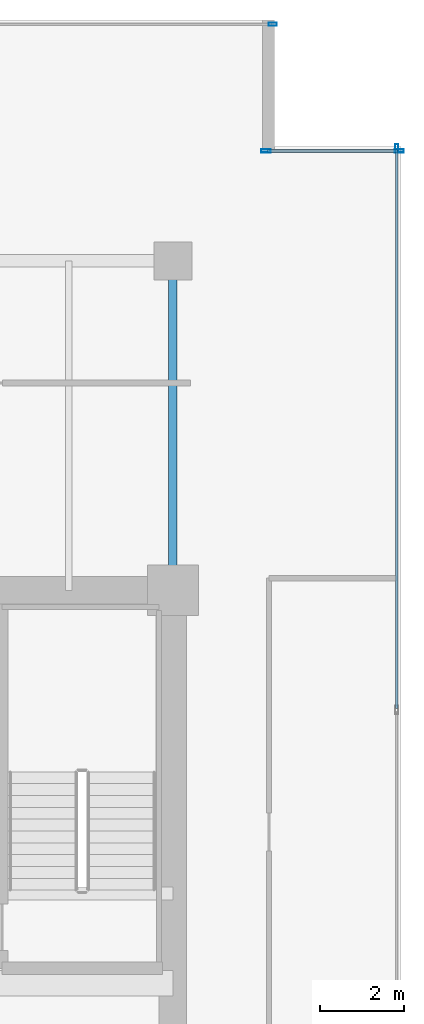
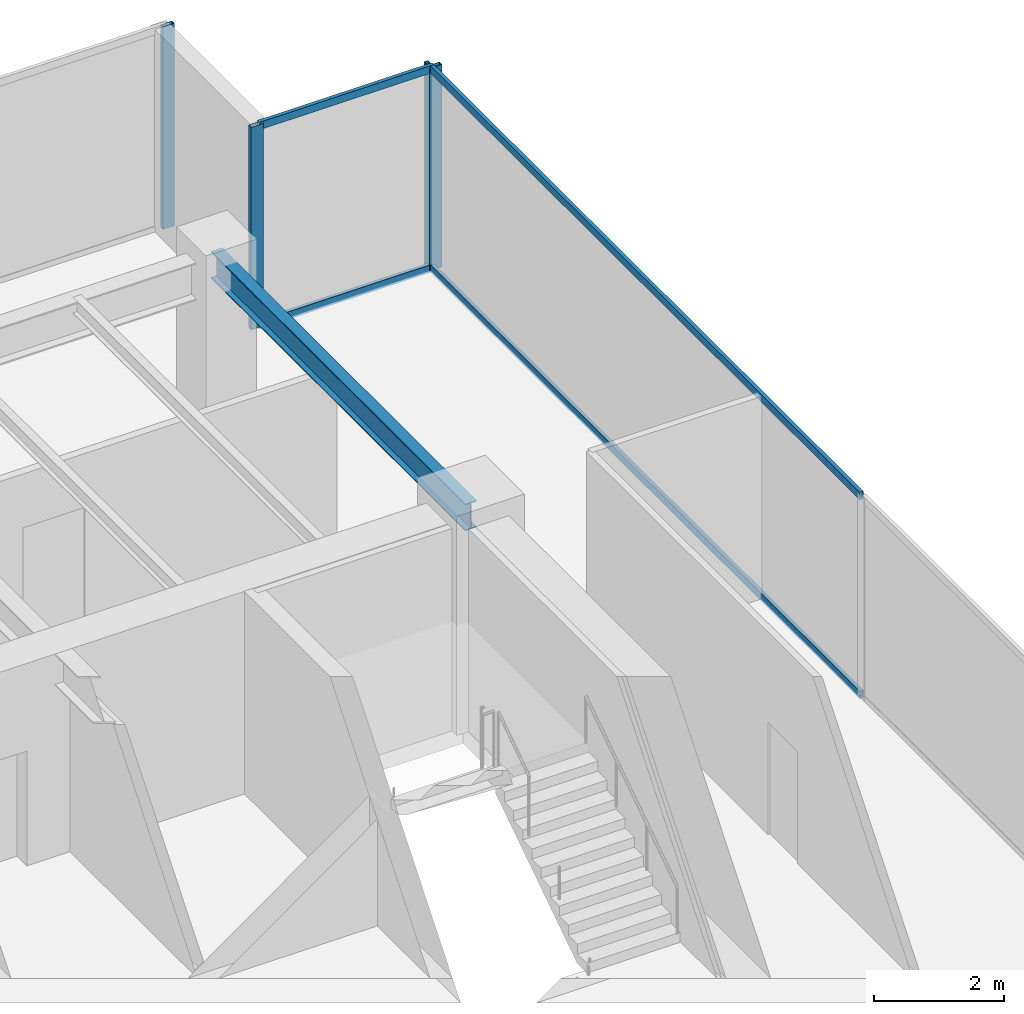
# One storey, part 23 of 31: 8 members, 1 beam, 3 elements without a shape of their own.
"""IFC4 building model written with IfcOpenShell, lengths in metres."""

from ifc_helpers import new_model, si_unit, direction, frame, origin, origin_2d, place, context, subcontext, project, spatial, hollow_rectangle, i_section, extrude, source, transform, mapped, material, layer, layer_set, material_profile, profile_set, type_object, type_shapes, element, aggregate, save


model = new_model("IFC4")

# Units and contexts
model_context = context("Model", 3, precision=1e-05, world=origin(), true_north=direction((0.0, 1.0)))
body_context = subcontext(model_context, "Body", "Model", "MODEL_VIEW")
ifc_project = project(units=[si_unit("LENGTHUNIT", "METRE"), si_unit("AREAUNIT", "SQUARE_METRE"), si_unit("VOLUMEUNIT", "CUBIC_METRE"), si_unit("PLANEANGLEUNIT", "RADIAN"), si_unit("MASSUNIT", "GRAM", prefix="KILO")], contexts=[model_context])

# Site, building, storey
site_placement = place(None, origin())
site = spatial("IfcSite", under=ifc_project, at=site_placement, CompositionType="ELEMENT")
building_placement = place(site_placement, origin())
building = spatial("IfcBuilding", under=site, at=building_placement, Name="Haelvirn Gate Laboratories", CompositionType="ELEMENT")
storey_placement = place(building_placement, frame((0.0, 0.0, 174.800048828125)))
storey = spatial("IfcBuildingStorey", under=building, at=storey_placement, Name="L42", CompositionType="ELEMENT", Elevation=174.800048828125)

# Beam
ifc_material_1 = material(Name="Steel SM355", Category="steel")
ifc_material_profile_1 = material_profile(ifc_material_1, i_section(OverallWidth=0.199951171875, OverallDepth=0.5, WebThickness=0.010009765625, FlangeThickness=0.01611328125, at=origin_2d()), Name="H-500x200x10x16")
ifc_profile_set_1 = profile_set([ifc_material_profile_1], Name="Steel SM355")
beam_type = type_object("IfcBeamType", Name="BM-SP-500", PredefinedType="SPANDREL", material=ifc_profile_set_1)
shared_shape_1 = source(origin(), body_context, "Body", "SweptSolid", [
    extrude(i_section(OverallWidth=0.199951171875, OverallDepth=0.5, WebThickness=0.010009765625, FlangeThickness=0.01611328125, at=origin_2d()), origin(), (0.0, 0.0, 1.0), 7.800048828125),
])
type_shapes(beam_type, [shared_shape_1])
beam_placement = place(storey_placement, frame((67.39990234375, 33.800048828125, 3.5400390625), z_axis=(0.0, 1.0, 0.0), x_axis=(-1.0, 0.0, 0.0)))
element("IfcBeam", 1, at=beam_placement, inside=storey, type_object=beam_type, Name="L42 Perimeter Spandrel X67.4 (33.8-41.6)", PredefinedType="SPANDREL", context=body_context, shape_type="MappedRepresentation", body=[
    mapped(shared_shape_1, transform((0.0, 0.0, 0.0), scale=1.0)),
])

# Curtain wall, members
ifc_material_2 = material(Name="Anodised bronze unitised aluminium & triple low-E glass", Category="aluminium")
ifc_layer_1 = layer(ifc_material_2, 0.181884765625, Name="CW-SYS-5")
ifc_layer_set_1 = layer_set([ifc_layer_1], Name="Anodised bronze unitised aluminium & triple low-E glass")
curtain_wall_type_1 = type_object("IfcCurtainWallType", Name="CW-SYS-5", PredefinedType="NOTDEFINED", material=ifc_layer_set_1)
curtain_wall_1_placement = place(storey_placement, origin())
curtain_wall_1 = element("IfcCurtainWall", 2, at=curtain_wall_1_placement, inside=storey, type_object=curtain_wall_type_1, Name="L42 Unitised Curtain Wall CW-L42-P0-E08-1", PredefinedType="NOTDEFINED")
ifc_material_3 = material(Name="Extruded aluminium 6063-T6 (anodised bronze)", Category="aluminium")
ifc_material_profile_2 = material_profile(ifc_material_3, hollow_rectangle(XDim=0.06494140625, YDim=0.139892578125, WallThickness=0.00390625, at=origin_2d()), Name="CWT-140x65x4")
ifc_profile_set_2 = profile_set([ifc_material_profile_2], Name="Extruded aluminium 6063-T6 (anodised bronze)")
member_type_1 = type_object("IfcMemberType", Name="CWT-T140", PredefinedType="USERDEFINED", material=ifc_profile_set_2)
shared_shape_2 = source(origin(), body_context, "Body", "SweptSolid", [
    extrude(hollow_rectangle(XDim=0.06494140625, YDim=0.139892578125, WallThickness=0.00390625, at=origin_2d()), origin(), (0.0, 0.0, 1.0), 3.080078125),
])
member_1_placement = place(storey_placement, frame((69.639892578125, 44.199951171875, 0.032470703125), z_axis=(1.0, 0.0, 0.0), x_axis=(0.0, 1.0, 0.0)))
member_1 = element("IfcMember", 3, at=member_1_placement, type_object=member_type_1, Name="CW5 transom 1.1", ObjectType="TRANSOM", PredefinedType="USERDEFINED", context=body_context, shape_type="MappedRepresentation", body=[
    mapped(shared_shape_2, transform((0.0, 0.0, 0.0), scale=1.0)),
])
member_2_placement = place(storey_placement, frame((69.639892578125, 44.199951171875, 3.757568359375), z_axis=(1.0, 0.0, 0.0), x_axis=(0.0, 1.0, 0.0)))
member_2 = element("IfcMember", 4, at=member_2_placement, type_object=member_type_1, Name="CW5 transom 1.2", ObjectType="TRANSOM", PredefinedType="USERDEFINED", context=body_context, shape_type="MappedRepresentation", body=[
    mapped(shared_shape_2, transform((0.0, 0.0, 0.0), scale=1.0)),
])

ifc_layer_2 = layer(ifc_material_2, 0.179931640625, Name="CW-SYS-3")
ifc_layer_set_2 = layer_set([ifc_layer_2], Name="Anodised bronze unitised aluminium & triple low-E glass")
curtain_wall_type_2 = type_object("IfcCurtainWallType", Name="CW-SYS-3", PredefinedType="NOTDEFINED", material=ifc_layer_set_2)
curtain_wall_2_placement = place(storey_placement, origin())
curtain_wall_2 = element("IfcCurtainWall", 5, at=curtain_wall_2_placement, inside=storey, type_object=curtain_wall_type_2, Name="L42 Unitised Curtain Wall CW-L42-P0-E07", PredefinedType="NOTDEFINED")
shared_shape_3 = source(origin(), body_context, "Body", "SweptSolid", [
    extrude(hollow_rectangle(XDim=0.06494140625, YDim=0.139892578125, WallThickness=0.00390625, at=origin_2d()), origin(), (0.0, 0.0, 1.0), 13.220947265625),
])
type_shapes(member_type_1, [shared_shape_2, shared_shape_3])
member_3_placement = place(storey_placement, frame((72.699951171875, 31.004150390625, 0.032470703125), z_axis=(0.0, 1.0, 0.0), x_axis=(-1.0, 0.0, 0.0)))
member_3 = element("IfcMember", 6, at=member_3_placement, type_object=member_type_1, Name="CW3 transom 3.1", ObjectType="TRANSOM", PredefinedType="USERDEFINED", context=body_context, shape_type="MappedRepresentation", body=[
    mapped(shared_shape_3, transform((0.0, 0.0, 0.0), scale=1.0)),
])
member_4_placement = place(storey_placement, frame((72.699951171875, 31.004150390625, 3.757568359375), z_axis=(0.0, 1.0, 0.0), x_axis=(-1.0, 0.0, 0.0)))
member_4 = element("IfcMember", 7, at=member_4_placement, type_object=member_type_1, Name="CW3 transom 3.2", ObjectType="TRANSOM", PredefinedType="USERDEFINED", context=body_context, shape_type="MappedRepresentation", body=[
    mapped(shared_shape_3, transform((0.0, 0.0, 0.0), scale=1.0)),
])
ifc_material_profile_3 = material_profile(ifc_material_3, hollow_rectangle(XDim=0.074951171875, YDim=0.199951171875, WallThickness=0.0048828125, at=origin_2d()), Name="CWM-200x75x5")
ifc_profile_set_3 = profile_set([ifc_material_profile_3], Name="Extruded aluminium 6063-T6 (anodised bronze)")
member_type_2 = type_object("IfcMemberType", Name="CWM-T200", PredefinedType="MULLION", material=ifc_profile_set_3)
shared_shape_4 = source(origin(), body_context, "Body", "SweptSolid", [
    extrude(hollow_rectangle(XDim=0.074951171875, YDim=0.199951171875, WallThickness=0.0048828125, at=origin_2d()), origin(), (0.0, 0.0, 1.0), 3.7900390625),
])
type_shapes(member_type_2, [shared_shape_4])
member_5_placement = place(storey_placement, frame((72.699951171875, 44.262451171875, 0.0), z_axis=(0.0, 0.0, 1.0), x_axis=(-1.0, 0.0, 0.0)))
member_5 = element("IfcMember", 8, at=member_5_placement, type_object=member_type_2, Name="CW3 mullion 4", PredefinedType="MULLION", context=body_context, shape_type="MappedRepresentation", body=[
    mapped(shared_shape_4, transform((0.0, 0.0, 0.0), scale=1.0)),
])
aggregate(curtain_wall_2, [member_5, member_3, member_4])

# Curtain wall, member
curtain_wall_3_placement = place(storey_placement, origin())
curtain_wall_3 = element("IfcCurtainWall", 9, at=curtain_wall_3_placement, inside=storey, type_object=curtain_wall_type_2, Name="L42 Unitised Curtain Wall CW-L42-P0-E10-1", PredefinedType="NOTDEFINED")
member_6_placement = place(storey_placement, frame((69.762451171875, 47.199951171875, 0.0), z_axis=(0.0, 0.0, 1.0), x_axis=(0.0, 1.0, 0.0)))
member_6 = element("IfcMember", 10, at=member_6_placement, type_object=member_type_2, Name="CW3 mullion 3", PredefinedType="MULLION", context=body_context, shape_type="MappedRepresentation", body=[
    mapped(shared_shape_4, transform((0.0, 0.0, 0.0), scale=1.0)),
])
aggregate(curtain_wall_3, [member_6])

# Member
ifc_material_profile_4 = material_profile(ifc_material_3, hollow_rectangle(XDim=0.080078125, YDim=0.219970703125, WallThickness=0.006103515625, at=origin_2d()), Name="CWM-220x80x6")
ifc_profile_set_4 = profile_set([ifc_material_profile_4], Name="Extruded aluminium 6063-T6 (anodised bronze)")
member_type_3 = type_object("IfcMemberType", Name="CWM-T220", PredefinedType="MULLION", material=ifc_profile_set_4)
shared_shape_5 = source(origin(), body_context, "Body", "SweptSolid", [
    extrude(hollow_rectangle(XDim=0.080078125, YDim=0.219970703125, WallThickness=0.006103515625, at=origin_2d()), origin(), (0.0, 0.0, 1.0), 3.7900390625),
])
type_shapes(member_type_3, [shared_shape_5])
member_7_placement = place(storey_placement, frame((69.60009765625, 44.199951171875, 0.0), z_axis=(0.0, 0.0, 1.0), x_axis=(0.0, 1.0, 0.0)))
member_7 = element("IfcMember", 11, at=member_7_placement, type_object=member_type_3, Name="CW5 mullion 1", PredefinedType="MULLION", context=body_context, shape_type="MappedRepresentation", body=[
    mapped(shared_shape_5, transform((0.0, 0.0, 0.0), scale=1.0)),
])

member_8_placement = place(storey_placement, frame((72.760009765625, 44.199951171875, 0.0), z_axis=(0.0, 0.0, 1.0), x_axis=(0.0, 1.0, 0.0)))
member_8 = element("IfcMember", 12, at=member_8_placement, type_object=member_type_3, Name="CW5 mullion 2", PredefinedType="MULLION", context=body_context, shape_type="MappedRepresentation", body=[
    mapped(shared_shape_5, transform((0.0, 0.0, 0.0), scale=1.0)),
])

aggregate(curtain_wall_1, [member_7, member_8, member_1, member_2])

save(model, "model.ifc")
